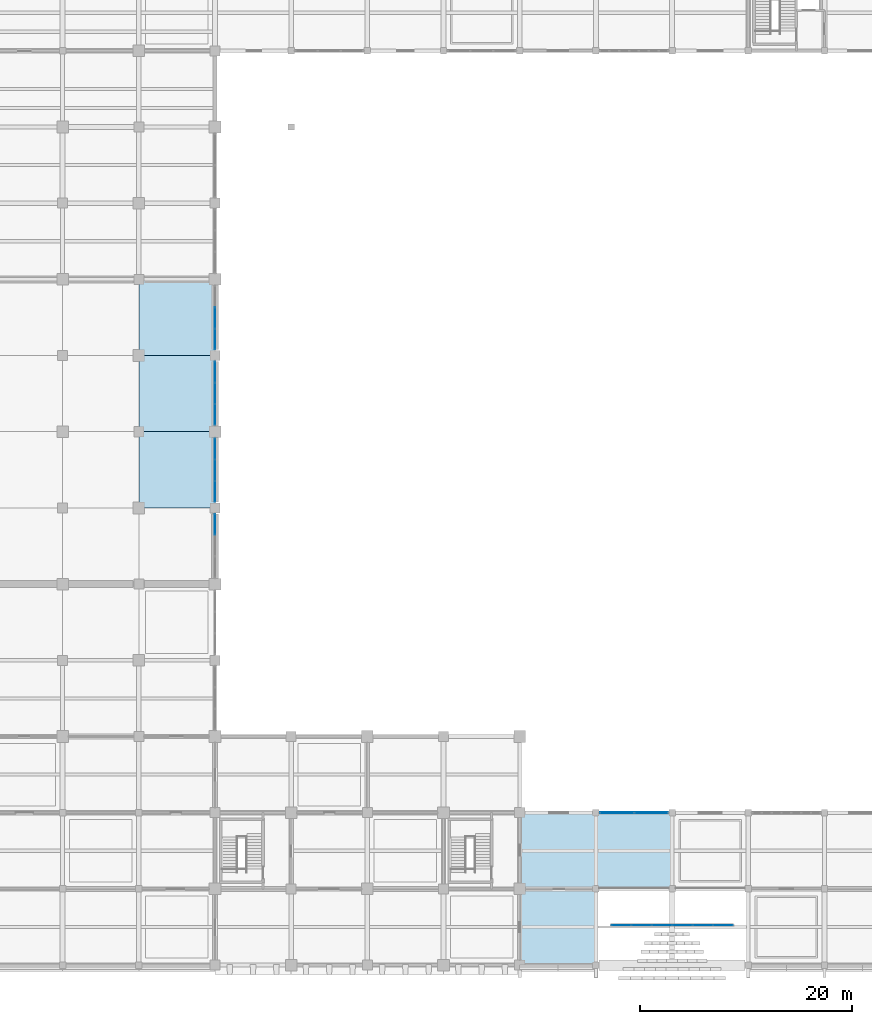
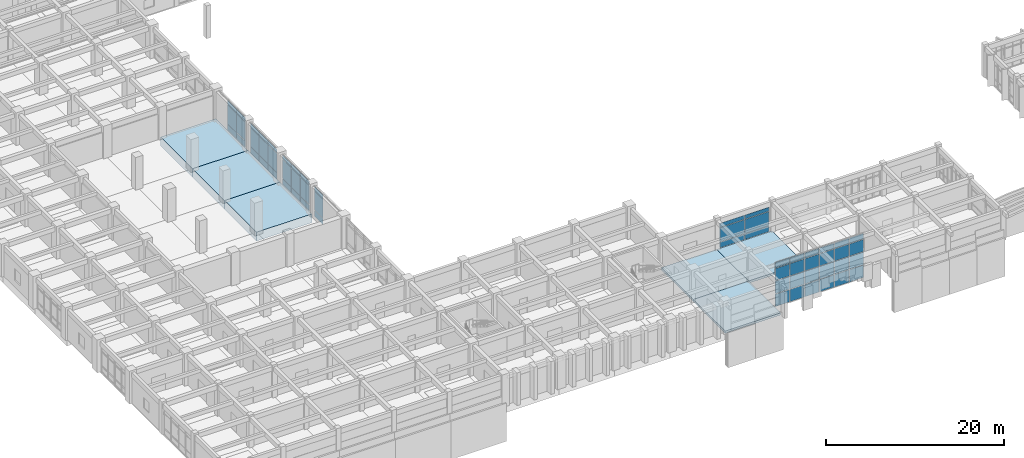
# One storey, part 40 of 81: 57 plates, 6 slabs, 6 elements without a shape of their own.
"""IFC4 building model written with IfcOpenShell, lengths in metres."""

from ifc_helpers import new_model, si_unit, direction, frame, origin, origin_2d, place, context, subcontext, project, spatial, polyline, rectangle, outline, extrude, material, layer, layer_set, type_object, element, aggregate, save


model = new_model("IFC4")

# Units and contexts
model_context = context("Model", 3, precision=1e-05, world=origin(), true_north=direction((0.0, 1.0)))
body_context = subcontext(model_context, "Body", "Model", "MODEL_VIEW")
ifc_project = project(units=[si_unit("LENGTHUNIT", "METRE"), si_unit("AREAUNIT", "SQUARE_METRE"), si_unit("VOLUMEUNIT", "CUBIC_METRE"), si_unit("PLANEANGLEUNIT", "RADIAN"), si_unit("MASSUNIT", "GRAM", prefix="KILO")], contexts=[model_context])

# Site, building, storey
site_placement = place(None, origin())
site = spatial("IfcSite", under=ifc_project, at=site_placement, CompositionType="ELEMENT")
building_placement = place(site_placement, origin())
building = spatial("IfcBuilding", under=site, at=building_placement, Name="Kavelor Marine Aquarium", CompositionType="ELEMENT")
storey_placement = place(building_placement, frame((0.0, 0.0, 4.679931640625)))
storey = spatial("IfcBuildingStorey", under=building, at=storey_placement, Name="L01", CompositionType="ELEMENT", Elevation=4.679931640625)

# Curtain wall, plates
ifc_material_1 = material(Name="Thermally Broken Aluminium and Low-E Glass", Category="aluminium")
ifc_layer_1 = layer(ifc_material_1, 0.283935546875)
ifc_layer_set_1 = layer_set([ifc_layer_1], Name="CW-SYS18")
curtain_wall_type_1 = type_object("IfcCurtainWallType", Name="CW-SYS18", PredefinedType="USERDEFINED", material=ifc_layer_set_1)
curtain_wall_1_placement = place(storey_placement, origin())
curtain_wall_1 = element("IfcCurtainWall", 1, at=curtain_wall_1_placement, inside=storey, type_object=curtain_wall_type_1, Name="cw:y:L01:05_05", ObjectType="Curtain Wall", PredefinedType="USERDEFINED")
ifc_material_2 = material(Name="Solar-Control Double Low-E Glazing", Category="glass")
ifc_layer_2 = layer(ifc_material_2, 0.035888671875)
ifc_layer_set_2 = layer_set([ifc_layer_2], Name="CWP-06")
plate_type_1 = type_object("IfcPlateType", Name="CWP-06", PredefinedType="CURTAIN_PANEL", material=ifc_layer_set_2)
plate_1_placement = place(storey_placement, frame((39.199951171875, 44.450927734375, 0.074951171875), z_axis=(0.0, 0.0, 1.0), x_axis=(0.0, 1.0, 0.0)))
plate_1 = element("IfcPlate", 2, at=plate_1_placement, type_object=plate_type_1, Name="CW18 panel 3.1", PredefinedType="CURTAIN_PANEL", context=body_context, shape_type="SweptSolid", body=[
    extrude(rectangle(XDim=1.938232421875, YDim=0.035888671875, at=origin_2d()), origin(), (0.0, 0.0, 1.0), 0.78759765625),
])
plate_2_placement = place(storey_placement, frame((39.199951171875, 44.450927734375, 0.9375), z_axis=(0.0, 0.0, 1.0), x_axis=(0.0, 1.0, 0.0)))
plate_2 = element("IfcPlate", 3, at=plate_2_placement, type_object=plate_type_1, Name="CW18 panel 3.2", PredefinedType="CURTAIN_PANEL", context=body_context, shape_type="SweptSolid", body=[
    extrude(rectangle(XDim=1.938232421875, YDim=0.035888671875, at=origin_2d()), origin(), (0.0, 0.0, 1.0), 2.574951171875),
])
plate_3_placement = place(storey_placement, frame((39.199951171875, 44.450927734375, 3.58740234375), z_axis=(0.0, 0.0, 1.0), x_axis=(0.0, 1.0, 0.0)))
plate_3 = element("IfcPlate", 4, at=plate_3_placement, type_object=plate_type_1, Name="CW18 panel 3.3", PredefinedType="CURTAIN_PANEL", context=body_context, shape_type="SweptSolid", body=[
    extrude(rectangle(XDim=1.938232421875, YDim=0.035888671875, at=origin_2d()), origin(), (0.0, 0.0, 1.0), 0.53759765625),
])
aggregate(curtain_wall_1, [plate_1, plate_2, plate_3])

ifc_material_3 = material(Name="Thermally Broken Aluminium and Low-E Glass", Category="aluminium")
ifc_layer_3 = layer(ifc_material_3, 0.2919921875)
ifc_layer_set_3 = layer_set([ifc_layer_3], Name="CW-SYS19")
curtain_wall_type_2 = type_object("IfcCurtainWallType", Name="CW-SYS19", PredefinedType="USERDEFINED", material=ifc_layer_set_3)
curtain_wall_2_placement = place(storey_placement, origin())
curtain_wall_2 = element("IfcCurtainWall", 5, at=curtain_wall_2_placement, inside=storey, type_object=curtain_wall_type_2, Name="cw:y:L01:05_06", ObjectType="Curtain Wall", PredefinedType="USERDEFINED")
ifc_material_4 = material(Name="Solar-Control Double Low-E Glazing", Category="glass")
ifc_layer_4 = layer(ifc_material_4, 0.0380859375)
ifc_layer_set_4 = layer_set([ifc_layer_4], Name="CWP-07")
plate_type_2 = type_object("IfcPlateType", Name="CWP-07", PredefinedType="CURTAIN_PANEL", material=ifc_layer_set_4)
plate_4_placement = place(storey_placement, frame((39.199951171875, 47.552978515625, 0.074951171875), z_axis=(0.0, 0.0, 1.0), x_axis=(0.0, 1.0, 0.0)))
plate_4 = element("IfcPlate", 6, at=plate_4_placement, type_object=plate_type_2, Name="CW19 panel 1.1", PredefinedType="CURTAIN_PANEL", context=body_context, shape_type="SweptSolid", body=[
    extrude(rectangle(XDim=1.915771484375, YDim=0.0380859375, at=origin_2d()), origin(), (0.0, 0.0, 1.0), 0.78759765625),
])
plate_5_placement = place(storey_placement, frame((39.199951171875, 47.552978515625, 0.9375), z_axis=(0.0, 0.0, 1.0), x_axis=(0.0, 1.0, 0.0)))
plate_5 = element("IfcPlate", 7, at=plate_5_placement, type_object=plate_type_2, Name="CW19 panel 1.2", PredefinedType="CURTAIN_PANEL", context=body_context, shape_type="SweptSolid", body=[
    extrude(rectangle(XDim=1.915771484375, YDim=0.0380859375, at=origin_2d()), origin(), (0.0, 0.0, 1.0), 2.574951171875),
])
plate_6_placement = place(storey_placement, frame((39.199951171875, 47.552978515625, 3.58740234375), z_axis=(0.0, 0.0, 1.0), x_axis=(0.0, 1.0, 0.0)))
plate_6 = element("IfcPlate", 8, at=plate_6_placement, type_object=plate_type_2, Name="CW19 panel 1.3", PredefinedType="CURTAIN_PANEL", context=body_context, shape_type="SweptSolid", body=[
    extrude(rectangle(XDim=1.915771484375, YDim=0.0380859375, at=origin_2d()), origin(), (0.0, 0.0, 1.0), 0.53759765625),
])
plate_7_placement = place(storey_placement, frame((39.199951171875, 49.5625, 0.074951171875), z_axis=(0.0, 0.0, 1.0), x_axis=(0.0, 1.0, 0.0)))
plate_7 = element("IfcPlate", 9, at=plate_7_placement, type_object=plate_type_2, Name="CW19 panel 2.1", PredefinedType="CURTAIN_PANEL", context=body_context, shape_type="SweptSolid", body=[
    extrude(rectangle(XDim=1.953369140625, YDim=0.0380859375, at=origin_2d()), origin(), (0.0, 0.0, 1.0), 0.78759765625),
])
plate_8_placement = place(storey_placement, frame((39.199951171875, 49.5625, 0.9375), z_axis=(0.0, 0.0, 1.0), x_axis=(0.0, 1.0, 0.0)))
plate_8 = element("IfcPlate", 10, at=plate_8_placement, type_object=plate_type_2, Name="CW19 panel 2.2", PredefinedType="CURTAIN_PANEL", context=body_context, shape_type="SweptSolid", body=[
    extrude(rectangle(XDim=1.953369140625, YDim=0.0380859375, at=origin_2d()), origin(), (0.0, 0.0, 1.0), 2.574951171875),
])
plate_9_placement = place(storey_placement, frame((39.199951171875, 49.5625, 3.58740234375), z_axis=(0.0, 0.0, 1.0), x_axis=(0.0, 1.0, 0.0)))
plate_9 = element("IfcPlate", 11, at=plate_9_placement, type_object=plate_type_2, Name="CW19 panel 2.3", PredefinedType="CURTAIN_PANEL", context=body_context, shape_type="SweptSolid", body=[
    extrude(rectangle(XDim=1.953369140625, YDim=0.0380859375, at=origin_2d()), origin(), (0.0, 0.0, 1.0), 0.53759765625),
])
plate_10_placement = place(storey_placement, frame((39.199951171875, 51.572021484375, 0.074951171875), z_axis=(0.0, 0.0, 1.0), x_axis=(0.0, 1.0, 0.0)))
plate_10 = element("IfcPlate", 12, at=plate_10_placement, type_object=plate_type_2, Name="CW19 panel 3.1", PredefinedType="CURTAIN_PANEL", context=body_context, shape_type="SweptSolid", body=[
    extrude(rectangle(XDim=1.915771484375, YDim=0.0380859375, at=origin_2d()), origin(), (0.0, 0.0, 1.0), 0.78759765625),
])
plate_11_placement = place(storey_placement, frame((39.199951171875, 51.572021484375, 0.9375), z_axis=(0.0, 0.0, 1.0), x_axis=(0.0, 1.0, 0.0)))
plate_11 = element("IfcPlate", 13, at=plate_11_placement, type_object=plate_type_2, Name="CW19 panel 3.2", PredefinedType="CURTAIN_PANEL", context=body_context, shape_type="SweptSolid", body=[
    extrude(rectangle(XDim=1.915771484375, YDim=0.0380859375, at=origin_2d()), origin(), (0.0, 0.0, 1.0), 2.574951171875),
])
plate_12_placement = place(storey_placement, frame((39.199951171875, 51.572021484375, 3.58740234375), z_axis=(0.0, 0.0, 1.0), x_axis=(0.0, 1.0, 0.0)))
plate_12 = element("IfcPlate", 14, at=plate_12_placement, type_object=plate_type_2, Name="CW19 panel 3.3", PredefinedType="CURTAIN_PANEL", context=body_context, shape_type="SweptSolid", body=[
    extrude(rectangle(XDim=1.915771484375, YDim=0.0380859375, at=origin_2d()), origin(), (0.0, 0.0, 1.0), 0.53759765625),
])
aggregate(curtain_wall_2, [plate_4, plate_5, plate_6, plate_7, plate_8, plate_9, plate_10, plate_11, plate_12])

curtain_wall_3_placement = place(storey_placement, origin())
curtain_wall_3 = element("IfcCurtainWall", 15, at=curtain_wall_3_placement, inside=storey, type_object=curtain_wall_type_2, Name="cw:portal:south:screen", ObjectType="Curtain Wall", PredefinedType="USERDEFINED")
plate_13_placement = place(storey_placement, frame((87.214599609375, 6.56005859375, -1.925048828125), z_axis=(0.0, 0.0, 1.0), x_axis=(-1.0, 0.0, 0.0)))
plate_13 = element("IfcPlate", 16, at=plate_13_placement, type_object=plate_type_2, Name="CW19 panel 1.1", PredefinedType="CURTAIN_PANEL", context=body_context, shape_type="SweptSolid", body=[
    extrude(rectangle(XDim=1.82080078125, YDim=0.0380859375, at=origin_2d()), origin(), (0.0, 0.0, 1.0), 1.6875),
])
plate_14_placement = place(storey_placement, frame((87.214599609375, 6.56005859375, -0.16259765625), z_axis=(0.0, 0.0, 1.0), x_axis=(-1.0, 0.0, 0.0)))
plate_14 = element("IfcPlate", 17, at=plate_14_placement, type_object=plate_type_2, Name="CW19 panel 1.2", PredefinedType="CURTAIN_PANEL", context=body_context, shape_type="SweptSolid", body=[
    extrude(rectangle(XDim=1.82080078125, YDim=0.0380859375, at=origin_2d()), origin(), (0.0, 0.0, 1.0), 1.72509765625),
])
plate_15_placement = place(storey_placement, frame((87.214599609375, 6.56005859375, 1.637451171875), z_axis=(0.0, 0.0, 1.0), x_axis=(-1.0, 0.0, 0.0)))
plate_15 = element("IfcPlate", 18, at=plate_15_placement, type_object=plate_type_2, Name="CW19 panel 1.3", PredefinedType="CURTAIN_PANEL", context=body_context, shape_type="SweptSolid", body=[
    extrude(rectangle(XDim=1.82080078125, YDim=0.0380859375, at=origin_2d()), origin(), (0.0, 0.0, 1.0), 1.6650390625),
])
plate_16_placement = place(storey_placement, frame((87.214599609375, 6.56005859375, 3.37744140625), z_axis=(0.0, 0.0, 1.0), x_axis=(-1.0, 0.0, 0.0)))
plate_16 = element("IfcPlate", 19, at=plate_16_placement, type_object=plate_type_2, Name="CW19 panel 1.4", PredefinedType="CURTAIN_PANEL", context=body_context, shape_type="SweptSolid", body=[
    extrude(rectangle(XDim=1.82080078125, YDim=0.0380859375, at=origin_2d()), origin(), (0.0, 0.0, 1.0), 0.737548828125),
])
plate_17_placement = place(storey_placement, frame((85.300048828125, 6.56005859375, -1.925048828125), z_axis=(0.0, 0.0, 1.0), x_axis=(-1.0, 0.0, 0.0)))
plate_17 = element("IfcPlate", 20, at=plate_17_placement, type_object=plate_type_2, Name="CW19 panel 2.1", PredefinedType="CURTAIN_PANEL", context=body_context, shape_type="SweptSolid", body=[
    extrude(rectangle(XDim=1.8583984375, YDim=0.0380859375, at=origin_2d()), origin(), (0.0, 0.0, 1.0), 1.6875),
])
plate_18_placement = place(storey_placement, frame((85.300048828125, 6.56005859375, -0.16259765625), z_axis=(0.0, 0.0, 1.0), x_axis=(-1.0, 0.0, 0.0)))
plate_18 = element("IfcPlate", 21, at=plate_18_placement, type_object=plate_type_2, Name="CW19 panel 2.2", PredefinedType="CURTAIN_PANEL", context=body_context, shape_type="SweptSolid", body=[
    extrude(rectangle(XDim=1.8583984375, YDim=0.0380859375, at=origin_2d()), origin(), (0.0, 0.0, 1.0), 1.72509765625),
])
plate_19_placement = place(storey_placement, frame((85.300048828125, 6.56005859375, 1.637451171875), z_axis=(0.0, 0.0, 1.0), x_axis=(-1.0, 0.0, 0.0)))
plate_19 = element("IfcPlate", 22, at=plate_19_placement, type_object=plate_type_2, Name="CW19 panel 2.3", PredefinedType="CURTAIN_PANEL", context=body_context, shape_type="SweptSolid", body=[
    extrude(rectangle(XDim=1.8583984375, YDim=0.0380859375, at=origin_2d()), origin(), (0.0, 0.0, 1.0), 1.6650390625),
])
plate_20_placement = place(storey_placement, frame((85.300048828125, 6.56005859375, 3.37744140625), z_axis=(0.0, 0.0, 1.0), x_axis=(-1.0, 0.0, 0.0)))
plate_20 = element("IfcPlate", 23, at=plate_20_placement, type_object=plate_type_2, Name="CW19 panel 2.4", PredefinedType="CURTAIN_PANEL", context=body_context, shape_type="SweptSolid", body=[
    extrude(rectangle(XDim=1.8583984375, YDim=0.0380859375, at=origin_2d()), origin(), (0.0, 0.0, 1.0), 0.737548828125),
])
plate_21_placement = place(storey_placement, frame((83.36669921875, 6.56005859375, -1.925048828125), z_axis=(0.0, 0.0, 1.0), x_axis=(-1.0, 0.0, 0.0)))
plate_21 = element("IfcPlate", 24, at=plate_21_placement, type_object=plate_type_2, Name="CW19 panel 3.1", PredefinedType="CURTAIN_PANEL", context=body_context, shape_type="SweptSolid", body=[
    extrude(rectangle(XDim=1.8583984375, YDim=0.0380859375, at=origin_2d()), origin(), (0.0, 0.0, 1.0), 1.6875),
])
plate_22_placement = place(storey_placement, frame((83.36669921875, 6.56005859375, -0.16259765625), z_axis=(0.0, 0.0, 1.0), x_axis=(-1.0, 0.0, 0.0)))
plate_22 = element("IfcPlate", 25, at=plate_22_placement, type_object=plate_type_2, Name="CW19 panel 3.2", PredefinedType="CURTAIN_PANEL", context=body_context, shape_type="SweptSolid", body=[
    extrude(rectangle(XDim=1.8583984375, YDim=0.0380859375, at=origin_2d()), origin(), (0.0, 0.0, 1.0), 1.72509765625),
])
plate_23_placement = place(storey_placement, frame((83.36669921875, 6.56005859375, 1.637451171875), z_axis=(0.0, 0.0, 1.0), x_axis=(-1.0, 0.0, 0.0)))
plate_23 = element("IfcPlate", 26, at=plate_23_placement, type_object=plate_type_2, Name="CW19 panel 3.3", PredefinedType="CURTAIN_PANEL", context=body_context, shape_type="SweptSolid", body=[
    extrude(rectangle(XDim=1.8583984375, YDim=0.0380859375, at=origin_2d()), origin(), (0.0, 0.0, 1.0), 1.6650390625),
])
plate_24_placement = place(storey_placement, frame((83.36669921875, 6.56005859375, 3.37744140625), z_axis=(0.0, 0.0, 1.0), x_axis=(-1.0, 0.0, 0.0)))
plate_24 = element("IfcPlate", 27, at=plate_24_placement, type_object=plate_type_2, Name="CW19 panel 3.4", PredefinedType="CURTAIN_PANEL", context=body_context, shape_type="SweptSolid", body=[
    extrude(rectangle(XDim=1.8583984375, YDim=0.0380859375, at=origin_2d()), origin(), (0.0, 0.0, 1.0), 0.737548828125),
])
plate_25_placement = place(storey_placement, frame((81.433349609375, 6.56005859375, -1.925048828125), z_axis=(0.0, 0.0, 1.0), x_axis=(-1.0, 0.0, 0.0)))
plate_25 = element("IfcPlate", 28, at=plate_25_placement, type_object=plate_type_2, Name="CW19 panel 4.1", PredefinedType="CURTAIN_PANEL", context=body_context, shape_type="SweptSolid", body=[
    extrude(rectangle(XDim=1.8583984375, YDim=0.0380859375, at=origin_2d()), origin(), (0.0, 0.0, 1.0), 1.6875),
])
plate_26_placement = place(storey_placement, frame((81.433349609375, 6.56005859375, -0.16259765625), z_axis=(0.0, 0.0, 1.0), x_axis=(-1.0, 0.0, 0.0)))
plate_26 = element("IfcPlate", 29, at=plate_26_placement, type_object=plate_type_2, Name="CW19 panel 4.2", PredefinedType="CURTAIN_PANEL", context=body_context, shape_type="SweptSolid", body=[
    extrude(rectangle(XDim=1.8583984375, YDim=0.0380859375, at=origin_2d()), origin(), (0.0, 0.0, 1.0), 1.72509765625),
])
plate_27_placement = place(storey_placement, frame((81.433349609375, 6.56005859375, 1.637451171875), z_axis=(0.0, 0.0, 1.0), x_axis=(-1.0, 0.0, 0.0)))
plate_27 = element("IfcPlate", 30, at=plate_27_placement, type_object=plate_type_2, Name="CW19 panel 4.3", PredefinedType="CURTAIN_PANEL", context=body_context, shape_type="SweptSolid", body=[
    extrude(rectangle(XDim=1.8583984375, YDim=0.0380859375, at=origin_2d()), origin(), (0.0, 0.0, 1.0), 1.6650390625),
])
plate_28_placement = place(storey_placement, frame((81.433349609375, 6.56005859375, 3.37744140625), z_axis=(0.0, 0.0, 1.0), x_axis=(-1.0, 0.0, 0.0)))
plate_28 = element("IfcPlate", 31, at=plate_28_placement, type_object=plate_type_2, Name="CW19 panel 4.4", PredefinedType="CURTAIN_PANEL", context=body_context, shape_type="SweptSolid", body=[
    extrude(rectangle(XDim=1.8583984375, YDim=0.0380859375, at=origin_2d()), origin(), (0.0, 0.0, 1.0), 0.737548828125),
])
plate_29_placement = place(storey_placement, frame((79.5, 6.56005859375, -1.925048828125), z_axis=(0.0, 0.0, 1.0), x_axis=(-1.0, 0.0, 0.0)))
plate_29 = element("IfcPlate", 32, at=plate_29_placement, type_object=plate_type_2, Name="CW19 panel 5.1", PredefinedType="CURTAIN_PANEL", context=body_context, shape_type="SweptSolid", body=[
    extrude(rectangle(XDim=1.8583984375, YDim=0.0380859375, at=origin_2d()), origin(), (0.0, 0.0, 1.0), 1.6875),
])
plate_30_placement = place(storey_placement, frame((79.5, 6.56005859375, -0.16259765625), z_axis=(0.0, 0.0, 1.0), x_axis=(-1.0, 0.0, 0.0)))
plate_30 = element("IfcPlate", 33, at=plate_30_placement, type_object=plate_type_2, Name="CW19 panel 5.2", PredefinedType="CURTAIN_PANEL", context=body_context, shape_type="SweptSolid", body=[
    extrude(rectangle(XDim=1.8583984375, YDim=0.0380859375, at=origin_2d()), origin(), (0.0, 0.0, 1.0), 1.72509765625),
])
plate_31_placement = place(storey_placement, frame((79.5, 6.56005859375, 1.637451171875), z_axis=(0.0, 0.0, 1.0), x_axis=(-1.0, 0.0, 0.0)))
plate_31 = element("IfcPlate", 34, at=plate_31_placement, type_object=plate_type_2, Name="CW19 panel 5.3", PredefinedType="CURTAIN_PANEL", context=body_context, shape_type="SweptSolid", body=[
    extrude(rectangle(XDim=1.8583984375, YDim=0.0380859375, at=origin_2d()), origin(), (0.0, 0.0, 1.0), 1.6650390625),
])
plate_32_placement = place(storey_placement, frame((79.5, 6.56005859375, 3.37744140625), z_axis=(0.0, 0.0, 1.0), x_axis=(-1.0, 0.0, 0.0)))
plate_32 = element("IfcPlate", 35, at=plate_32_placement, type_object=plate_type_2, Name="CW19 panel 5.4", PredefinedType="CURTAIN_PANEL", context=body_context, shape_type="SweptSolid", body=[
    extrude(rectangle(XDim=1.8583984375, YDim=0.0380859375, at=origin_2d()), origin(), (0.0, 0.0, 1.0), 0.737548828125),
])
plate_33_placement = place(storey_placement, frame((77.58544921875, 6.56005859375, -1.925048828125), z_axis=(0.0, 0.0, 1.0), x_axis=(-1.0, 0.0, 0.0)))
plate_33 = element("IfcPlate", 36, at=plate_33_placement, type_object=plate_type_2, Name="CW19 panel 6.1", PredefinedType="CURTAIN_PANEL", context=body_context, shape_type="SweptSolid", body=[
    extrude(rectangle(XDim=1.82080078125, YDim=0.0380859375, at=origin_2d()), origin(), (0.0, 0.0, 1.0), 1.6875),
])
plate_34_placement = place(storey_placement, frame((77.58544921875, 6.56005859375, -0.16259765625), z_axis=(0.0, 0.0, 1.0), x_axis=(-1.0, 0.0, 0.0)))
plate_34 = element("IfcPlate", 37, at=plate_34_placement, type_object=plate_type_2, Name="CW19 panel 6.2", PredefinedType="CURTAIN_PANEL", context=body_context, shape_type="SweptSolid", body=[
    extrude(rectangle(XDim=1.82080078125, YDim=0.0380859375, at=origin_2d()), origin(), (0.0, 0.0, 1.0), 1.72509765625),
])
plate_35_placement = place(storey_placement, frame((77.58544921875, 6.56005859375, 1.637451171875), z_axis=(0.0, 0.0, 1.0), x_axis=(-1.0, 0.0, 0.0)))
plate_35 = element("IfcPlate", 38, at=plate_35_placement, type_object=plate_type_2, Name="CW19 panel 6.3", PredefinedType="CURTAIN_PANEL", context=body_context, shape_type="SweptSolid", body=[
    extrude(rectangle(XDim=1.82080078125, YDim=0.0380859375, at=origin_2d()), origin(), (0.0, 0.0, 1.0), 1.6650390625),
])
plate_36_placement = place(storey_placement, frame((77.58544921875, 6.56005859375, 3.37744140625), z_axis=(0.0, 0.0, 1.0), x_axis=(-1.0, 0.0, 0.0)))
plate_36 = element("IfcPlate", 39, at=plate_36_placement, type_object=plate_type_2, Name="CW19 panel 6.4", PredefinedType="CURTAIN_PANEL", context=body_context, shape_type="SweptSolid", body=[
    extrude(rectangle(XDim=1.82080078125, YDim=0.0380859375, at=origin_2d()), origin(), (0.0, 0.0, 1.0), 0.737548828125),
])
aggregate(curtain_wall_3, [plate_13, plate_14, plate_15, plate_16, plate_17, plate_18, plate_19, plate_20, plate_21, plate_22, plate_23, plate_24, plate_25, plate_26, plate_27, plate_28, plate_29, plate_30, plate_31, plate_32, plate_33, plate_34, plate_35, plate_36])

ifc_material_5 = material(Name="Thermally Broken Aluminium and Low-E Glass", Category="aluminium")
ifc_layer_5 = layer(ifc_material_5, 0.300048828125)
ifc_layer_set_5 = layer_set([ifc_layer_5], Name="CW-SYS20")
curtain_wall_type_3 = type_object("IfcCurtainWallType", Name="CW-SYS20", PredefinedType="USERDEFINED", material=ifc_layer_set_5)
curtain_wall_4_placement = place(storey_placement, origin())
curtain_wall_4 = element("IfcCurtainWall", 40, at=curtain_wall_4_placement, inside=storey, type_object=curtain_wall_type_3, Name="cw:y:L01:05_07", ObjectType="Curtain Wall", PredefinedType="USERDEFINED")
ifc_material_6 = material(Name="Solar-Control Double Low-E Glazing", Category="glass")
ifc_layer_6 = layer(ifc_material_6, 0.0400390625)
ifc_layer_set_6 = layer_set([ifc_layer_6], Name="CWP-08")
plate_type_3 = type_object("IfcPlateType", Name="CWP-08", PredefinedType="CURTAIN_PANEL", material=ifc_layer_set_6)
plate_37_placement = place(storey_placement, frame((39.199951171875, 54.825439453125, 0.06494140625), z_axis=(0.0, 0.0, 1.0), x_axis=(0.0, 1.0, 0.0)))
plate_37 = element("IfcPlate", 41, at=plate_37_placement, type_object=plate_type_3, Name="CW20 panel 1.1", PredefinedType="CURTAIN_PANEL", context=body_context, shape_type="SweptSolid", body=[
    extrude(rectangle(XDim=1.930908203125, YDim=0.0400390625, at=origin_2d()), origin(), (0.0, 0.0, 1.0), 0.802490234375),
])
plate_38_placement = place(storey_placement, frame((39.199951171875, 54.825439453125, 0.9326171875), z_axis=(0.0, 0.0, 1.0), x_axis=(0.0, 1.0, 0.0)))
plate_38 = element("IfcPlate", 42, at=plate_38_placement, type_object=plate_type_3, Name="CW20 panel 1.2", PredefinedType="CURTAIN_PANEL", context=body_context, shape_type="SweptSolid", body=[
    extrude(rectangle(XDim=1.930908203125, YDim=0.0400390625, at=origin_2d()), origin(), (0.0, 0.0, 1.0), 2.5849609375),
])
plate_39_placement = place(storey_placement, frame((39.199951171875, 54.825439453125, 3.58251953125), z_axis=(0.0, 0.0, 1.0), x_axis=(0.0, 1.0, 0.0)))
plate_39 = element("IfcPlate", 43, at=plate_39_placement, type_object=plate_type_3, Name="CW20 panel 1.3", PredefinedType="CURTAIN_PANEL", context=body_context, shape_type="SweptSolid", body=[
    extrude(rectangle(XDim=1.930908203125, YDim=0.0400390625, at=origin_2d()), origin(), (0.0, 0.0, 1.0), 0.552490234375),
])
plate_40_placement = place(storey_placement, frame((39.199951171875, 56.83740234375, 0.06494140625), z_axis=(0.0, 0.0, 1.0), x_axis=(0.0, 1.0, 0.0)))
plate_40 = element("IfcPlate", 44, at=plate_40_placement, type_object=plate_type_3, Name="CW20 panel 2.1", PredefinedType="CURTAIN_PANEL", context=body_context, shape_type="SweptSolid", body=[
    extrude(rectangle(XDim=1.96337890625, YDim=0.0400390625, at=origin_2d()), origin(), (0.0, 0.0, 1.0), 0.802490234375),
])
plate_41_placement = place(storey_placement, frame((39.199951171875, 56.83740234375, 0.9326171875), z_axis=(0.0, 0.0, 1.0), x_axis=(0.0, 1.0, 0.0)))
plate_41 = element("IfcPlate", 45, at=plate_41_placement, type_object=plate_type_3, Name="CW20 panel 2.2", PredefinedType="CURTAIN_PANEL", context=body_context, shape_type="SweptSolid", body=[
    extrude(rectangle(XDim=1.96337890625, YDim=0.0400390625, at=origin_2d()), origin(), (0.0, 0.0, 1.0), 2.5849609375),
])
plate_42_placement = place(storey_placement, frame((39.199951171875, 56.83740234375, 3.58251953125), z_axis=(0.0, 0.0, 1.0), x_axis=(0.0, 1.0, 0.0)))
plate_42 = element("IfcPlate", 46, at=plate_42_placement, type_object=plate_type_3, Name="CW20 panel 2.3", PredefinedType="CURTAIN_PANEL", context=body_context, shape_type="SweptSolid", body=[
    extrude(rectangle(XDim=1.96337890625, YDim=0.0400390625, at=origin_2d()), origin(), (0.0, 0.0, 1.0), 0.552490234375),
])
plate_43_placement = place(storey_placement, frame((39.199951171875, 58.849609375, 0.06494140625), z_axis=(0.0, 0.0, 1.0), x_axis=(0.0, 1.0, 0.0)))
plate_43 = element("IfcPlate", 47, at=plate_43_placement, type_object=plate_type_3, Name="CW20 panel 3.1", PredefinedType="CURTAIN_PANEL", context=body_context, shape_type="SweptSolid", body=[
    extrude(rectangle(XDim=1.930908203125, YDim=0.0400390625, at=origin_2d()), origin(), (0.0, 0.0, 1.0), 0.802490234375),
])
plate_44_placement = place(storey_placement, frame((39.199951171875, 58.849609375, 0.9326171875), z_axis=(0.0, 0.0, 1.0), x_axis=(0.0, 1.0, 0.0)))
plate_44 = element("IfcPlate", 48, at=plate_44_placement, type_object=plate_type_3, Name="CW20 panel 3.2", PredefinedType="CURTAIN_PANEL", context=body_context, shape_type="SweptSolid", body=[
    extrude(rectangle(XDim=1.930908203125, YDim=0.0400390625, at=origin_2d()), origin(), (0.0, 0.0, 1.0), 2.5849609375),
])
plate_45_placement = place(storey_placement, frame((39.199951171875, 58.849609375, 3.58251953125), z_axis=(0.0, 0.0, 1.0), x_axis=(0.0, 1.0, 0.0)))
plate_45 = element("IfcPlate", 49, at=plate_45_placement, type_object=plate_type_3, Name="CW20 panel 3.3", PredefinedType="CURTAIN_PANEL", context=body_context, shape_type="SweptSolid", body=[
    extrude(rectangle(XDim=1.930908203125, YDim=0.0400390625, at=origin_2d()), origin(), (0.0, 0.0, 1.0), 0.552490234375),
])
aggregate(curtain_wall_4, [plate_37, plate_38, plate_39, plate_40, plate_41, plate_42, plate_43, plate_44, plate_45])

ifc_material_7 = material(Name="Thermally Broken Aluminium and Low-E Glass", Category="aluminium")
ifc_layer_7 = layer(ifc_material_7, 0.30810546875)
ifc_layer_set_7 = layer_set([ifc_layer_7], Name="CW-SYS21")
curtain_wall_type_4 = type_object("IfcCurtainWallType", Name="CW-SYS21", PredefinedType="USERDEFINED", material=ifc_layer_set_7)
curtain_wall_5_placement = place(storey_placement, origin())
curtain_wall_5 = element("IfcCurtainWall", 50, at=curtain_wall_5_placement, inside=storey, type_object=curtain_wall_type_4, Name="cw:y:L01:05_08", ObjectType="Curtain Wall", PredefinedType="USERDEFINED")
ifc_material_8 = material(Name="Solar-Control Double Low-E Glazing", Category="glass")
ifc_layer_8 = layer(ifc_material_8, 0.0419921875)
ifc_layer_set_8 = layer_set([ifc_layer_8], Name="CWP-09")
plate_type_4 = type_object("IfcPlateType", Name="CWP-09", PredefinedType="CURTAIN_PANEL", material=ifc_layer_set_8)
plate_46_placement = place(storey_placement, frame((39.199951171875, 61.94921875, 0.06494140625), z_axis=(0.0, 0.0, 1.0), x_axis=(0.0, 1.0, 0.0)))
plate_46 = element("IfcPlate", 51, at=plate_46_placement, type_object=plate_type_4, Name="CW21 panel 1.1", PredefinedType="CURTAIN_PANEL", context=body_context, shape_type="SweptSolid", body=[
    extrude(rectangle(XDim=1.938232421875, YDim=0.0419921875, at=origin_2d()), origin(), (0.0, 0.0, 1.0), 0.802490234375),
])
plate_47_placement = place(storey_placement, frame((39.199951171875, 61.94921875, 0.9326171875), z_axis=(0.0, 0.0, 1.0), x_axis=(0.0, 1.0, 0.0)))
plate_47 = element("IfcPlate", 52, at=plate_47_placement, type_object=plate_type_4, Name="CW21 panel 1.2", PredefinedType="CURTAIN_PANEL", context=body_context, shape_type="SweptSolid", body=[
    extrude(rectangle(XDim=1.938232421875, YDim=0.0419921875, at=origin_2d()), origin(), (0.0, 0.0, 1.0), 2.5849609375),
])
plate_48_placement = place(storey_placement, frame((39.199951171875, 61.94921875, 3.58251953125), z_axis=(0.0, 0.0, 1.0), x_axis=(0.0, 1.0, 0.0)))
plate_48 = element("IfcPlate", 53, at=plate_48_placement, type_object=plate_type_4, Name="CW21 panel 1.3", PredefinedType="CURTAIN_PANEL", context=body_context, shape_type="SweptSolid", body=[
    extrude(rectangle(XDim=1.938232421875, YDim=0.0419921875, at=origin_2d()), origin(), (0.0, 0.0, 1.0), 0.552490234375),
])
plate_49_placement = place(storey_placement, frame((39.199951171875, 63.96240234375, 0.06494140625), z_axis=(0.0, 0.0, 1.0), x_axis=(0.0, 1.0, 0.0)))
plate_49 = element("IfcPlate", 54, at=plate_49_placement, type_object=plate_type_4, Name="CW21 panel 2.1", PredefinedType="CURTAIN_PANEL", context=body_context, shape_type="SweptSolid", body=[
    extrude(rectangle(XDim=1.96826171875, YDim=0.0419921875, at=origin_2d()), origin(), (0.0, 0.0, 1.0), 0.802490234375),
])
plate_50_placement = place(storey_placement, frame((39.199951171875, 63.96240234375, 0.9326171875), z_axis=(0.0, 0.0, 1.0), x_axis=(0.0, 1.0, 0.0)))
plate_50 = element("IfcPlate", 55, at=plate_50_placement, type_object=plate_type_4, Name="CW21 panel 2.2", PredefinedType="CURTAIN_PANEL", context=body_context, shape_type="SweptSolid", body=[
    extrude(rectangle(XDim=1.96826171875, YDim=0.0419921875, at=origin_2d()), origin(), (0.0, 0.0, 1.0), 2.5849609375),
])
plate_51_placement = place(storey_placement, frame((39.199951171875, 63.96240234375, 3.58251953125), z_axis=(0.0, 0.0, 1.0), x_axis=(0.0, 1.0, 0.0)))
plate_51 = element("IfcPlate", 56, at=plate_51_placement, type_object=plate_type_4, Name="CW21 panel 2.3", PredefinedType="CURTAIN_PANEL", context=body_context, shape_type="SweptSolid", body=[
    extrude(rectangle(XDim=1.96826171875, YDim=0.0419921875, at=origin_2d()), origin(), (0.0, 0.0, 1.0), 0.552490234375),
])
aggregate(curtain_wall_5, [plate_46, plate_47, plate_48, plate_49, plate_50, plate_51])

ifc_material_9 = material(Name="Thermally Broken Aluminium and Low-E Glass", Category="aluminium")
ifc_layer_9 = layer(ifc_material_9, 0.33203125)
ifc_layer_set_9 = layer_set([ifc_layer_9], Name="CW-SYS24")
curtain_wall_type_5 = type_object("IfcCurtainWallType", Name="CW-SYS24", PredefinedType="USERDEFINED", material=ifc_layer_set_9)
curtain_wall_6_placement = place(storey_placement, origin())
curtain_wall_6 = element("IfcCurtainWall", 57, at=curtain_wall_6_placement, inside=storey, type_object=curtain_wall_type_5, Name="cw:x:L01:10_02", ObjectType="Curtain Wall", PredefinedType="USERDEFINED")
ifc_material_10 = material(Name="Solar-Control Double Low-E Glazing", Category="glass")
ifc_layer_10 = layer(ifc_material_10, 0.072021484375)
ifc_layer_set_10 = layer_set([ifc_layer_10], Name="CWP-24")
plate_type_5 = type_object("IfcPlateType", Name="CWP-24", PredefinedType="CURTAIN_PANEL", material=ifc_layer_set_10)
plate_52_placement = place(storey_placement, frame((77.1875, 17.199951171875, 0.074951171875), z_axis=(0.0, 0.0, 1.0), x_axis=(1.0, 0.0, 0.0)))
plate_52 = element("IfcPlate", 58, at=plate_52_placement, type_object=plate_type_5, Name="CW24 panel 1.1", PredefinedType="CURTAIN_PANEL", context=body_context, shape_type="SweptSolid", body=[
    extrude(rectangle(XDim=3.1650390625, YDim=0.072021484375, at=origin_2d()), origin(), (0.0, 0.0, 1.0), 0.78759765625),
])
plate_53_placement = place(storey_placement, frame((77.1875, 17.199951171875, 0.9375), z_axis=(0.0, 0.0, 1.0), x_axis=(1.0, 0.0, 0.0)))
plate_53 = element("IfcPlate", 59, at=plate_53_placement, type_object=plate_type_5, Name="CW24 panel 1.2", PredefinedType="CURTAIN_PANEL", context=body_context, shape_type="SweptSolid", body=[
    extrude(rectangle(XDim=3.1650390625, YDim=0.072021484375, at=origin_2d()), origin(), (0.0, 0.0, 1.0), 1.885009765625),
])
plate_54_placement = place(storey_placement, frame((77.1875, 17.199951171875, 2.8974609375), z_axis=(0.0, 0.0, 1.0), x_axis=(1.0, 0.0, 0.0)))
plate_54 = element("IfcPlate", 60, at=plate_54_placement, type_object=plate_type_5, Name="CW24 panel 1.3", PredefinedType="CURTAIN_PANEL", context=body_context, shape_type="SweptSolid", body=[
    extrude(rectangle(XDim=3.1650390625, YDim=0.072021484375, at=origin_2d()), origin(), (0.0, 0.0, 1.0), 0.53759765625),
])
plate_55_placement = place(storey_placement, frame((80.41259765625, 17.199951171875, 0.074951171875), z_axis=(0.0, 0.0, 1.0), x_axis=(1.0, 0.0, 0.0)))
plate_55 = element("IfcPlate", 61, at=plate_55_placement, type_object=plate_type_5, Name="CW24 panel 2.1", PredefinedType="CURTAIN_PANEL", context=body_context, shape_type="SweptSolid", body=[
    extrude(rectangle(XDim=3.1650390625, YDim=0.072021484375, at=origin_2d()), origin(), (0.0, 0.0, 1.0), 0.78759765625),
])
plate_56_placement = place(storey_placement, frame((80.41259765625, 17.199951171875, 0.9375), z_axis=(0.0, 0.0, 1.0), x_axis=(1.0, 0.0, 0.0)))
plate_56 = element("IfcPlate", 62, at=plate_56_placement, type_object=plate_type_5, Name="CW24 panel 2.2", PredefinedType="CURTAIN_PANEL", context=body_context, shape_type="SweptSolid", body=[
    extrude(rectangle(XDim=3.1650390625, YDim=0.072021484375, at=origin_2d()), origin(), (0.0, 0.0, 1.0), 1.885009765625),
])
plate_57_placement = place(storey_placement, frame((80.41259765625, 17.199951171875, 2.8974609375), z_axis=(0.0, 0.0, 1.0), x_axis=(1.0, 0.0, 0.0)))
plate_57 = element("IfcPlate", 63, at=plate_57_placement, type_object=plate_type_5, Name="CW24 panel 2.3", PredefinedType="CURTAIN_PANEL", context=body_context, shape_type="SweptSolid", body=[
    extrude(rectangle(XDim=3.1650390625, YDim=0.072021484375, at=origin_2d()), origin(), (0.0, 0.0, 1.0), 0.53759765625),
])
aggregate(curtain_wall_6, [plate_52, plate_53, plate_54, plate_55, plate_56, plate_57])

# Slabs
ifc_material_11 = material(Name="Concrete C40/50", Category="concrete")
ifc_layer_11 = layer(ifc_material_11, 0.300048828125)
ifc_layer_set_11 = layer_set([ifc_layer_11], Name="SL-FL1")
slab_type_1 = type_object("IfcSlabType", Name="SL-FL1", PredefinedType="FLOOR", material=ifc_layer_set_11)
slab_1_placement = place(storey_placement, frame((0.0, 0.0, -0.300048828125)))
element("IfcSlab", 64, at=slab_1_placement, inside=storey, type_object=slab_type_1, Name="slab:L01:09_00", PredefinedType="FLOOR", context=body_context, shape_type="SweptSolid", body=[
    extrude(outline(polyline([(68.0, 2.800048828125), (75.199951171875, 2.800048828125), (75.199951171875, 10.0), (68.0, 10.0), (68.0, 2.800048828125)])), origin(), (0.0, 0.0, 1.0), 0.300048828125),
])
slab_2_placement = place(storey_placement, frame((0.0, 0.0, -0.300048828125)))
element("IfcSlab", 65, at=slab_2_placement, inside=storey, type_object=slab_type_1, Name="slab:L01:09_01", PredefinedType="FLOOR", context=body_context, shape_type="SweptSolid", body=[
    extrude(outline(polyline([(68.0, 10.0), (75.199951171875, 10.0), (75.199951171875, 17.199951171875), (68.0, 17.199951171875), (68.0, 10.0)])), origin(), (0.0, 0.0, 1.0), 0.300048828125),
])
slab_3_placement = place(storey_placement, frame((0.0, 0.0, -0.300048828125)))
element("IfcSlab", 66, at=slab_3_placement, inside=storey, type_object=slab_type_1, Name="slab:L01:10_01", PredefinedType="FLOOR", context=body_context, shape_type="SweptSolid", body=[
    extrude(outline(polyline([(75.199951171875, 10.0), (82.39990234375, 10.0), (82.39990234375, 17.199951171875), (75.199951171875, 17.199951171875), (75.199951171875, 10.0)])), origin(), (0.0, 0.0, 1.0), 0.300048828125),
])
ifc_material_12 = material(Name="Concrete C45/55", Category="concrete")
ifc_layer_12 = layer(ifc_material_12, 1.199951171875)
ifc_layer_set_12 = layer_set([ifc_layer_12], Name="SL-TR1")
slab_type_2 = type_object("IfcSlabType", Name="SL-TR1", PredefinedType="FLOOR", material=ifc_layer_set_12)
slab_4_placement = place(storey_placement, frame((0.0, 0.0, -1.199951171875)))
element("IfcSlab", 67, at=slab_4_placement, inside=storey, type_object=slab_type_2, Name="slab:L01:04_06", PredefinedType="FLOOR", context=body_context, shape_type="SweptSolid", body=[
    extrude(outline(polyline([(32.0, 46.0), (39.199951171875, 46.0), (39.199951171875, 53.199951171875), (32.0, 53.199951171875), (32.0, 46.0)])), origin(), (0.0, 0.0, 1.0), 1.199951171875),
])
slab_5_placement = place(storey_placement, frame((0.0, 0.0, -1.199951171875)))
element("IfcSlab", 68, at=slab_5_placement, inside=storey, type_object=slab_type_2, Name="slab:L01:04_07", PredefinedType="FLOOR", context=body_context, shape_type="SweptSolid", body=[
    extrude(outline(polyline([(32.0, 53.199951171875), (39.199951171875, 53.199951171875), (39.199951171875, 60.39990234375), (32.0, 60.39990234375), (32.0, 53.199951171875)])), origin(), (0.0, 0.0, 1.0), 1.199951171875),
])
slab_6_placement = place(storey_placement, frame((0.0, 0.0, -1.199951171875)))
element("IfcSlab", 69, at=slab_6_placement, inside=storey, type_object=slab_type_2, Name="slab:L01:04_08", PredefinedType="FLOOR", context=body_context, shape_type="SweptSolid", body=[
    extrude(outline(polyline([(32.0, 60.39990234375), (39.199951171875, 60.39990234375), (39.199951171875, 67.60009765625), (32.0, 67.60009765625), (32.0, 60.39990234375)])), origin(), (0.0, 0.0, 1.0), 1.199951171875),
])

save(model, "model.ifc")
